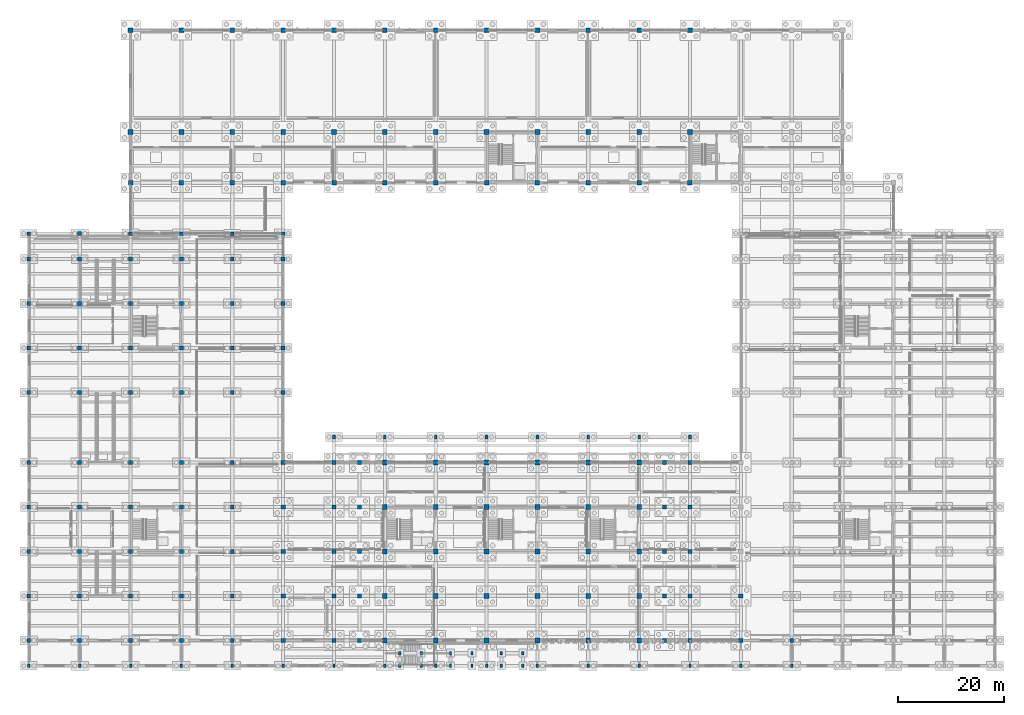
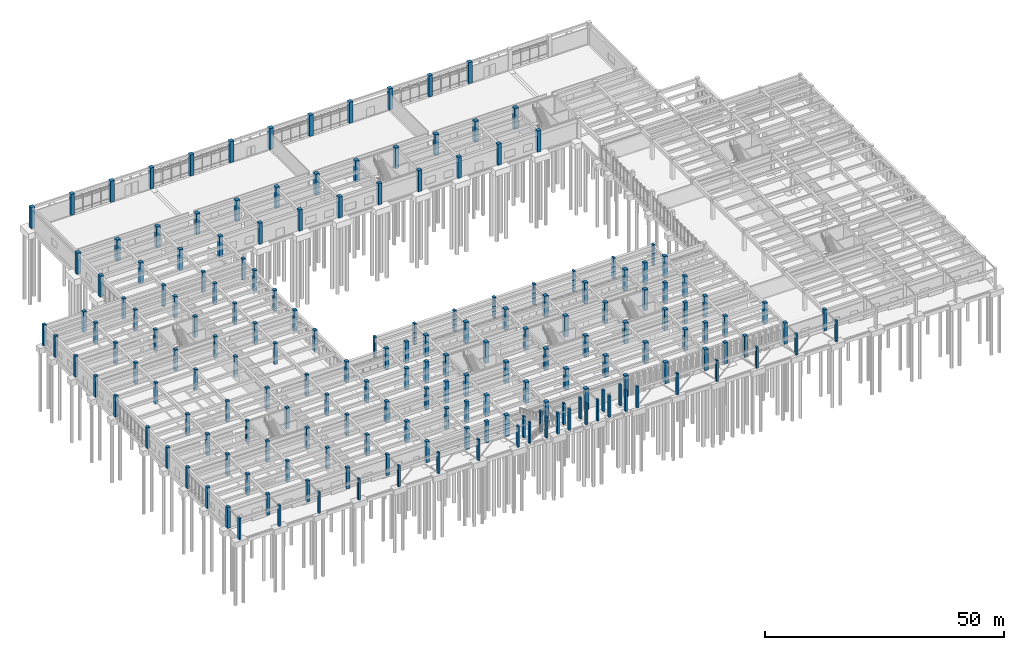
# One storey, part 9 of 102: 185 columns.
"""IFC4 building model written with IfcOpenShell, lengths in metres."""

from ifc_helpers import new_model, si_unit, direction, frame, origin, origin_2d, place, context, subcontext, project, spatial, rectangle, extrude, material, material_profile, profile_set, type_object, element, save


model = new_model("IFC4")

# Units and contexts
model_context = context("Model", 3, precision=1e-05, world=origin(), true_north=direction((0.0, 1.0)))
body_context = subcontext(model_context, "Body", "Model", "MODEL_VIEW")
ifc_project = project(units=[si_unit("LENGTHUNIT", "METRE"), si_unit("AREAUNIT", "SQUARE_METRE"), si_unit("VOLUMEUNIT", "CUBIC_METRE"), si_unit("PLANEANGLEUNIT", "RADIAN"), si_unit("MASSUNIT", "GRAM", prefix="KILO")], contexts=[model_context])

# Site, building, storey
site_placement = place(None, origin())
site = spatial("IfcSite", under=ifc_project, at=site_placement, CompositionType="ELEMENT")
building_placement = place(site_placement, origin())
building = spatial("IfcBuilding", under=site, at=building_placement, Name="Kolvemor Railside Polytechnic", CompositionType="ELEMENT")
storey_placement = place(building_placement, origin())
storey = spatial("IfcBuildingStorey", under=building, at=storey_placement, Name="L00", CompositionType="ELEMENT", Elevation=0.0)

# Columns
ifc_material_1 = material(Name="Concrete C40/50", Category="concrete")
ifc_material_profile_1 = material_profile(ifc_material_1, rectangle(XDim=0.449951171875, YDim=0.64990234375, at=origin_2d()), Name="RC450x650")
ifc_profile_set_1 = profile_set([ifc_material_profile_1], Name="Concrete C40/50")
column_type_1 = type_object("IfcColumnType", Name="COL-RC450x650", PredefinedType="PILASTER", material=ifc_profile_set_1)
for number, where, z_axis, x_axis, name in (
    (1, (0.0, 0.0, 0.0), (0.0, 0.0, 1.0), (1.0, 0.0, 0.0), "Column L00-C001"),
    (2, (9.60009765625, 0.0, 0.0), (0.0, 0.0, 1.0), (1.0, 0.0, 0.0), "Column L00-C012"),
    (3, (19.199951171875, 0.0, 0.0), (0.0, 0.0, 1.0), (1.0, 0.0, 0.0), "Column L00-C023"),
    (4, (28.800048828125, 0.0, 0.0), (0.0, 0.0, 1.0), (1.0, 0.0, 0.0), "Column L00-C037"),
    (5, (38.39990234375, 0.0, 0.0), (0.0, 0.0, 1.0), (1.0, 0.0, 0.0), "Column L00-C051"),
    (6, (48.0, 0.0, 0.0), (0.0, 0.0, 1.0), (1.0, 0.0, 0.0), "Column L00-C065"),
    (7, (57.60009765625, 0.0, 0.0), (0.0, 0.0, 1.0), (1.0, 0.0, 0.0), "Column L00-C079"),
    (8, (67.199951171875, 0.0, 0.0), (0.0, 0.0, 1.0), (1.0, 0.0, 0.0), "Column L00-C094"),
    (9, (70.0, 0.0, 0.0), (0.0, 0.0, 1.0), (1.0, 0.0, 0.0), "Column L00-C104"),
    (10, (70.0, 2.39990234375, 0.0), (0.0, 0.0, 1.0), (1.0, 0.0, 0.0), "Column L00-C105"),
    (11, (74.050048828125, 0.0, 0.0), (0.0, 0.0, 1.0), (1.0, 0.0, 0.0), "Column L00-C106"),
    (12, (74.050048828125, 2.39990234375, 0.0), (0.0, 0.0, 1.0), (1.0, 0.0, 0.0), "Column L00-C107"),
    (13, (76.800048828125, 0.0, 0.0), (0.0, 0.0, 1.0), (1.0, 0.0, 0.0), "Column L00-C108"),
    (14, (79.60009765625, 0.0, 0.0), (0.0, 0.0, 1.0), (1.0, 0.0, 0.0), "Column L00-C118"),
    (15, (79.60009765625, 2.39990234375, 0.0), (0.0, 0.0, 1.0), (1.0, 0.0, 0.0), "Column L00-C119"),
    (16, (83.64990234375, 0.0, 0.0), (0.0, 0.0, 1.0), (1.0, 0.0, 0.0), "Column L00-C120"),
    (17, (83.64990234375, 2.39990234375, 0.0), (0.0, 0.0, 1.0), (1.0, 0.0, 0.0), "Column L00-C121"),
    (18, (86.39990234375, 0.0, 0.0), (0.0, 0.0, 1.0), (1.0, 0.0, 0.0), "Column L00-C122"),
    (19, (89.199951171875, 0.0, 0.0), (0.0, 0.0, 1.0), (1.0, 0.0, 0.0), "Column L00-C132"),
    (20, (89.199951171875, 2.39990234375, 0.0), (0.0, 0.0, 1.0), (1.0, 0.0, 0.0), "Column L00-C133"),
    (21, (93.25, 0.0, 0.0), (0.0, 0.0, 1.0), (1.0, 0.0, 0.0), "Column L00-C134"),
    (22, (93.25, 2.39990234375, 0.0), (0.0, 0.0, 1.0), (1.0, 0.0, 0.0), "Column L00-C135"),
    (23, (96.0, 0.0, 0.0), (0.0, 0.0, 1.0), (1.0, 0.0, 0.0), "Column L00-C136"),
    (24, (105.60009765625, 0.0, 0.0), (0.0, 0.0, 1.0), (1.0, 0.0, 0.0), "Column L00-C146"),
    (25, (115.199951171875, 0.0, 0.0), (0.0, 0.0, 1.0), (1.0, 0.0, 0.0), "Column L00-C156"),
    (26, (124.800048828125, 0.0, 0.0), (0.0, 0.0, 1.0), (1.0, 0.0, 0.0), "Column L00-C171"),
    (27, (134.39990234375, 0.0, 0.0), (0.0, 0.0, 1.0), (1.0, 0.0, 0.0), "Column L00-C181"),
    (28, (144.0, 0.0, 0.0), (0.0, 0.0, 1.0), (1.0, 0.0, 0.0), "Column L00-C195"),
):
    element("IfcColumn", number, at=place(storey_placement, frame(where, z_axis=z_axis, x_axis=x_axis)), inside=storey, type_object=column_type_1, Name=name, PredefinedType="PILASTER", context=body_context, shape_type="SweptSolid", body=[
        extrude(rectangle(XDim=0.449951171875, YDim=0.64990234375, at=origin_2d()), origin(), (0.0, 0.0, 1.0), 5.39990234375),
    ])
ifc_material_2 = material(Name="Concrete C40/50", Category="concrete")
ifc_material_profile_2 = material_profile(ifc_material_2, rectangle(XDim=0.5, YDim=0.75, at=origin_2d()), Name="RC500x750")
ifc_profile_set_2 = profile_set([ifc_material_profile_2], Name="Concrete C40/50")
column_type_2 = type_object("IfcColumnType", Name="COL-RC500x750", PredefinedType="COLUMN", material=ifc_profile_set_2)
for number, where, z_axis, x_axis, name in (
    (29, (57.60009765625, 43.199951171875, 0.0), (0.0, 0.0, 1.0), (1.0, 0.0, 0.0), "Column L00-C085"),
    (30, (67.199951171875, 43.199951171875, 0.0), (0.0, 0.0, 1.0), (1.0, 0.0, 0.0), "Column L00-C100"),
    (31, (76.800048828125, 43.199951171875, 0.0), (0.0, 0.0, 1.0), (1.0, 0.0, 0.0), "Column L00-C114"),
    (32, (86.39990234375, 43.199951171875, 0.0), (0.0, 0.0, 1.0), (1.0, 0.0, 0.0), "Column L00-C128"),
    (33, (96.0, 43.199951171875, 0.0), (0.0, 0.0, 1.0), (1.0, 0.0, 0.0), "Column L00-C142"),
    (34, (105.60009765625, 43.199951171875, 0.0), (0.0, 0.0, 1.0), (1.0, 0.0, 0.0), "Column L00-C152"),
    (35, (115.199951171875, 43.199951171875, 0.0), (0.0, 0.0, 1.0), (1.0, 0.0, 0.0), "Column L00-C162"),
    (36, (124.800048828125, 43.199951171875, 0.0), (0.0, 0.0, 1.0), (1.0, 0.0, 0.0), "Column L00-C177"),
):
    element("IfcColumn", number, at=place(storey_placement, frame(where, z_axis=z_axis, x_axis=x_axis)), inside=storey, type_object=column_type_2, Name=name, PredefinedType="COLUMN", context=body_context, shape_type="SweptSolid", body=[
        extrude(rectangle(XDim=0.5, YDim=0.75, at=origin_2d()), origin(), (0.0, 0.0, 1.0), 5.39990234375),
    ])
ifc_material_3 = material(Name="Concrete C40/50", Category="concrete")
ifc_material_profile_3 = material_profile(ifc_material_3, rectangle(XDim=0.699951171875, YDim=0.699951171875, at=origin_2d()), Name="RC700x700")
ifc_profile_set_3 = profile_set([ifc_material_profile_3], Name="Concrete C40/50")
column_type_3 = type_object("IfcColumnType", Name="COL-RC700", PredefinedType="COLUMN", material=ifc_profile_set_3)
for number, where, z_axis, x_axis, name in (
    (37, (0.0, 4.800048828125, 0.0), (0.0, 0.0, 1.0), (1.0, 0.0, 0.0), "Column L00-C002"),
    (38, (0.0, 13.199951171875, 0.0), (0.0, 0.0, 1.0), (1.0, 0.0, 0.0), "Column L00-C003"),
    (39, (0.0, 21.60009765625, 0.0), (0.0, 0.0, 1.0), (1.0, 0.0, 0.0), "Column L00-C004"),
    (40, (0.0, 30.0, 0.0), (0.0, 0.0, 1.0), (1.0, 0.0, 0.0), "Column L00-C005"),
    (41, (0.0, 38.39990234375, 0.0), (0.0, 0.0, 1.0), (1.0, 0.0, 0.0), "Column L00-C006"),
    (42, (0.0, 51.60009765625, 0.0), (0.0, 0.0, 1.0), (1.0, 0.0, 0.0), "Column L00-C007"),
    (43, (0.0, 60.0, 0.0), (0.0, 0.0, 1.0), (1.0, 0.0, 0.0), "Column L00-C008"),
    (44, (0.0, 68.39990234375, 0.0), (0.0, 0.0, 1.0), (1.0, 0.0, 0.0), "Column L00-C009"),
    (45, (0.0, 76.800048828125, 0.0), (0.0, 0.0, 1.0), (1.0, 0.0, 0.0), "Column L00-C010"),
    (46, (0.0, 81.60009765625, 0.0), (0.0, 0.0, 1.0), (1.0, 0.0, 0.0), "Column L00-C011"),
    (47, (19.199951171875, 4.800048828125, 0.0), (0.0, 0.0, 1.0), (1.0, 0.0, 0.0), "Column L00-C024"),
    (48, (19.199951171875, 13.199951171875, 0.0), (0.0, 0.0, 1.0), (1.0, 0.0, 0.0), "Column L00-C025"),
    (49, (19.199951171875, 21.60009765625, 0.0), (0.0, 0.0, 1.0), (1.0, 0.0, 0.0), "Column L00-C026"),
    (50, (19.199951171875, 30.0, 0.0), (0.0, 0.0, 1.0), (1.0, 0.0, 0.0), "Column L00-C027"),
    (51, (19.199951171875, 38.39990234375, 0.0), (0.0, 0.0, 1.0), (1.0, 0.0, 0.0), "Column L00-C028"),
    (52, (19.199951171875, 51.60009765625, 0.0), (0.0, 0.0, 1.0), (1.0, 0.0, 0.0), "Column L00-C029"),
    (53, (19.199951171875, 60.0, 0.0), (0.0, 0.0, 1.0), (1.0, 0.0, 0.0), "Column L00-C030"),
    (54, (19.199951171875, 68.39990234375, 0.0), (0.0, 0.0, 1.0), (1.0, 0.0, 0.0), "Column L00-C031"),
    (55, (19.199951171875, 76.800048828125, 0.0), (0.0, 0.0, 1.0), (1.0, 0.0, 0.0), "Column L00-C032"),
    (56, (19.199951171875, 81.60009765625, 0.0), (0.0, 0.0, 1.0), (1.0, 0.0, 0.0), "Column L00-C033"),
    (57, (28.800048828125, 81.60009765625, 0.0), (0.0, 0.0, 1.0), (1.0, 0.0, 0.0), "Column L00-C047"),
    (58, (38.39990234375, 4.800048828125, 0.0), (0.0, 0.0, 1.0), (1.0, 0.0, 0.0), "Column L00-C052"),
    (59, (38.39990234375, 13.199951171875, 0.0), (0.0, 0.0, 1.0), (1.0, 0.0, 0.0), "Column L00-C053"),
    (60, (38.39990234375, 21.60009765625, 0.0), (0.0, 0.0, 1.0), (1.0, 0.0, 0.0), "Column L00-C054"),
    (61, (38.39990234375, 30.0, 0.0), (0.0, 0.0, 1.0), (1.0, 0.0, 0.0), "Column L00-C055"),
    (62, (38.39990234375, 38.39990234375, 0.0), (0.0, 0.0, 1.0), (1.0, 0.0, 0.0), "Column L00-C056"),
    (63, (38.39990234375, 51.60009765625, 0.0), (0.0, 0.0, 1.0), (1.0, 0.0, 0.0), "Column L00-C057"),
    (64, (38.39990234375, 60.0, 0.0), (0.0, 0.0, 1.0), (1.0, 0.0, 0.0), "Column L00-C058"),
    (65, (38.39990234375, 68.39990234375, 0.0), (0.0, 0.0, 1.0), (1.0, 0.0, 0.0), "Column L00-C059"),
    (66, (38.39990234375, 76.800048828125, 0.0), (0.0, 0.0, 1.0), (1.0, 0.0, 0.0), "Column L00-C060"),
    (67, (38.39990234375, 81.60009765625, 0.0), (0.0, 0.0, 1.0), (1.0, 0.0, 0.0), "Column L00-C061"),
    (68, (48.0, 81.60009765625, 0.0), (0.0, 0.0, 1.0), (1.0, 0.0, 0.0), "Column L00-C075"),
    (69, (144.0, 4.800048828125, 0.0), (0.0, 0.0, 1.0), (1.0, 0.0, 0.0), "Column L00-C196"),
):
    element("IfcColumn", number, at=place(storey_placement, frame(where, z_axis=z_axis, x_axis=x_axis)), inside=storey, type_object=column_type_3, Name=name, PredefinedType="COLUMN", context=body_context, shape_type="SweptSolid", body=[
        extrude(rectangle(XDim=0.699951171875, YDim=0.699951171875, at=origin_2d()), origin(), (0.0, 0.0, 1.0), 5.39990234375),
    ])
ifc_material_4 = material(Name="Concrete C40/50", Category="concrete")
ifc_material_profile_4 = material_profile(ifc_material_4, rectangle(XDim=0.75, YDim=0.75, at=origin_2d()), Name="RC750x750")
ifc_profile_set_4 = profile_set([ifc_material_profile_4], Name="Concrete C40/50")
column_type_4 = type_object("IfcColumnType", Name="COL-RC750", PredefinedType="COLUMN", material=ifc_profile_set_4)
for number, where, z_axis, x_axis, name in (
    (70, (9.60009765625, 4.800048828125, 0.0), (0.0, 0.0, 1.0), (1.0, 0.0, 0.0), "Column L00-C013"),
    (71, (9.60009765625, 13.199951171875, 0.0), (0.0, 0.0, 1.0), (1.0, 0.0, 0.0), "Column L00-C014"),
    (72, (9.60009765625, 21.60009765625, 0.0), (0.0, 0.0, 1.0), (1.0, 0.0, 0.0), "Column L00-C015"),
    (73, (9.60009765625, 30.0, 0.0), (0.0, 0.0, 1.0), (1.0, 0.0, 0.0), "Column L00-C016"),
    (74, (9.60009765625, 38.39990234375, 0.0), (0.0, 0.0, 1.0), (1.0, 0.0, 0.0), "Column L00-C017"),
    (75, (9.60009765625, 51.60009765625, 0.0), (0.0, 0.0, 1.0), (1.0, 0.0, 0.0), "Column L00-C018"),
    (76, (9.60009765625, 60.0, 0.0), (0.0, 0.0, 1.0), (1.0, 0.0, 0.0), "Column L00-C019"),
    (77, (9.60009765625, 68.39990234375, 0.0), (0.0, 0.0, 1.0), (1.0, 0.0, 0.0), "Column L00-C020"),
    (78, (9.60009765625, 76.800048828125, 0.0), (0.0, 0.0, 1.0), (1.0, 0.0, 0.0), "Column L00-C021"),
    (79, (9.60009765625, 81.60009765625, 0.0), (0.0, 0.0, 1.0), (1.0, 0.0, 0.0), "Column L00-C022"),
    (80, (28.800048828125, 4.800048828125, 0.0), (0.0, 0.0, 1.0), (1.0, 0.0, 0.0), "Column L00-C038"),
    (81, (28.800048828125, 13.199951171875, 0.0), (0.0, 0.0, 1.0), (1.0, 0.0, 0.0), "Column L00-C039"),
    (82, (28.800048828125, 21.60009765625, 0.0), (0.0, 0.0, 1.0), (1.0, 0.0, 0.0), "Column L00-C040"),
    (83, (28.800048828125, 30.0, 0.0), (0.0, 0.0, 1.0), (1.0, 0.0, 0.0), "Column L00-C041"),
    (84, (28.800048828125, 38.39990234375, 0.0), (0.0, 0.0, 1.0), (1.0, 0.0, 0.0), "Column L00-C042"),
    (85, (28.800048828125, 51.60009765625, 0.0), (0.0, 0.0, 1.0), (1.0, 0.0, 0.0), "Column L00-C043"),
    (86, (28.800048828125, 60.0, 0.0), (0.0, 0.0, 1.0), (1.0, 0.0, 0.0), "Column L00-C044"),
    (87, (28.800048828125, 68.39990234375, 0.0), (0.0, 0.0, 1.0), (1.0, 0.0, 0.0), "Column L00-C045"),
    (88, (28.800048828125, 76.800048828125, 0.0), (0.0, 0.0, 1.0), (1.0, 0.0, 0.0), "Column L00-C046"),
    (89, (48.0, 51.60009765625, 0.0), (0.0, 0.0, 1.0), (1.0, 0.0, 0.0), "Column L00-C071"),
    (90, (48.0, 60.0, 0.0), (0.0, 0.0, 1.0), (1.0, 0.0, 0.0), "Column L00-C072"),
    (91, (48.0, 68.39990234375, 0.0), (0.0, 0.0, 1.0), (1.0, 0.0, 0.0), "Column L00-C073"),
    (92, (48.0, 76.800048828125, 0.0), (0.0, 0.0, 1.0), (1.0, 0.0, 0.0), "Column L00-C074"),
):
    element("IfcColumn", number, at=place(storey_placement, frame(where, z_axis=z_axis, x_axis=x_axis)), inside=storey, type_object=column_type_4, Name=name, PredefinedType="COLUMN", context=body_context, shape_type="SweptSolid", body=[
        extrude(rectangle(XDim=0.75, YDim=0.75, at=origin_2d()), origin(), (0.0, 0.0, 1.0), 5.39990234375),
    ])
ifc_material_5 = material(Name="Concrete C40/50", Category="concrete")
ifc_material_profile_5 = material_profile(ifc_material_5, rectangle(XDim=0.800048828125, YDim=0.800048828125, at=origin_2d()), Name="RC800x800")
ifc_profile_set_5 = profile_set([ifc_material_profile_5], Name="Concrete C40/50")
column_type_5 = type_object("IfcColumnType", Name="COL-RC800", PredefinedType="COLUMN", material=ifc_profile_set_5)
for number, where, z_axis, x_axis, name in (
    (93, (48.0, 4.800048828125, 0.0), (0.0, 0.0, 1.0), (1.0, 0.0, 0.0), "Column L00-C066"),
    (94, (48.0, 13.199951171875, 0.0), (0.0, 0.0, 1.0), (1.0, 0.0, 0.0), "Column L00-C067"),
    (95, (48.0, 21.60009765625, 0.0), (0.0, 0.0, 1.0), (1.0, 0.0, 0.0), "Column L00-C068"),
    (96, (48.0, 30.0, 0.0), (0.0, 0.0, 1.0), (1.0, 0.0, 0.0), "Column L00-C069"),
    (97, (48.0, 38.39990234375, 0.0), (0.0, 0.0, 1.0), (1.0, 0.0, 0.0), "Column L00-C070"),
    (98, (57.60009765625, 4.800048828125, 0.0), (0.0, 0.0, 1.0), (1.0, 0.0, 0.0), "Column L00-C080"),
    (99, (57.60009765625, 13.199951171875, 0.0), (0.0, 0.0, 1.0), (1.0, 0.0, 0.0), "Column L00-C081"),
    (100, (57.60009765625, 21.60009765625, 0.0), (0.0, 0.0, 1.0), (1.0, 0.0, 0.0), "Column L00-C082"),
    (101, (57.60009765625, 30.0, 0.0), (0.0, 0.0, 1.0), (1.0, 0.0, 0.0), "Column L00-C083"),
    (102, (57.60009765625, 38.39990234375, 0.0), (0.0, 0.0, 1.0), (1.0, 0.0, 0.0), "Column L00-C084"),
    (103, (62.39990234375, 4.800048828125, 0.0), (0.0, 0.0, 1.0), (1.0, 0.0, 0.0), "Column L00-C089"),
    (104, (62.39990234375, 13.199951171875, 0.0), (0.0, 0.0, 1.0), (1.0, 0.0, 0.0), "Column L00-C090"),
    (105, (62.39990234375, 21.60009765625, 0.0), (0.0, 0.0, 1.0), (1.0, 0.0, 0.0), "Column L00-C091"),
    (106, (62.39990234375, 30.0, 0.0), (0.0, 0.0, 1.0), (1.0, 0.0, 0.0), "Column L00-C092"),
    (107, (62.39990234375, 38.39990234375, 0.0), (0.0, 0.0, 1.0), (1.0, 0.0, 0.0), "Column L00-C093"),
    (108, (120.0, 4.800048828125, 0.0), (0.0, 0.0, 1.0), (1.0, 0.0, 0.0), "Column L00-C166"),
    (109, (120.0, 13.199951171875, 0.0), (0.0, 0.0, 1.0), (1.0, 0.0, 0.0), "Column L00-C167"),
    (110, (120.0, 21.60009765625, 0.0), (0.0, 0.0, 1.0), (1.0, 0.0, 0.0), "Column L00-C168"),
    (111, (120.0, 30.0, 0.0), (0.0, 0.0, 1.0), (1.0, 0.0, 0.0), "Column L00-C169"),
    (112, (120.0, 38.39990234375, 0.0), (0.0, 0.0, 1.0), (1.0, 0.0, 0.0), "Column L00-C170"),
    (113, (124.800048828125, 4.800048828125, 0.0), (0.0, 0.0, 1.0), (1.0, 0.0, 0.0), "Column L00-C172"),
    (114, (124.800048828125, 13.199951171875, 0.0), (0.0, 0.0, 1.0), (1.0, 0.0, 0.0), "Column L00-C173"),
    (115, (124.800048828125, 21.60009765625, 0.0), (0.0, 0.0, 1.0), (1.0, 0.0, 0.0), "Column L00-C174"),
    (116, (124.800048828125, 30.0, 0.0), (0.0, 0.0, 1.0), (1.0, 0.0, 0.0), "Column L00-C175"),
    (117, (124.800048828125, 38.39990234375, 0.0), (0.0, 0.0, 1.0), (1.0, 0.0, 0.0), "Column L00-C176"),
    (118, (134.39990234375, 4.800048828125, 0.0), (0.0, 0.0, 1.0), (1.0, 0.0, 0.0), "Column L00-C182"),
    (119, (134.39990234375, 13.199951171875, 0.0), (0.0, 0.0, 1.0), (1.0, 0.0, 0.0), "Column L00-C183"),
):
    element("IfcColumn", number, at=place(storey_placement, frame(where, z_axis=z_axis, x_axis=x_axis)), inside=storey, type_object=column_type_5, Name=name, PredefinedType="COLUMN", context=body_context, shape_type="SweptSolid", body=[
        extrude(rectangle(XDim=0.800048828125, YDim=0.800048828125, at=origin_2d()), origin(), (0.0, 0.0, 1.0), 5.39990234375),
    ])
ifc_material_6 = material(Name="Concrete C40/50", Category="concrete")
ifc_material_profile_6 = material_profile(ifc_material_6, rectangle(XDim=0.85009765625, YDim=0.85009765625, at=origin_2d()), Name="RC850x850")
ifc_profile_set_6 = profile_set([ifc_material_profile_6], Name="Concrete C40/50")
column_type_6 = type_object("IfcColumnType", Name="COL-RC850", PredefinedType="COLUMN", material=ifc_profile_set_6)
for number, where, z_axis, x_axis, name in (
    (120, (19.199951171875, 91.199951171875, 0.0), (0.0, 0.0, 1.0), (1.0, 0.0, 0.0), "Column L00-C034"),
    (121, (28.800048828125, 91.199951171875, 0.0), (0.0, 0.0, 1.0), (1.0, 0.0, 0.0), "Column L00-C048"),
    (122, (38.39990234375, 91.199951171875, 0.0), (0.0, 0.0, 1.0), (1.0, 0.0, 0.0), "Column L00-C062"),
    (123, (48.0, 91.199951171875, 0.0), (0.0, 0.0, 1.0), (1.0, 0.0, 0.0), "Column L00-C076"),
    (124, (57.60009765625, 91.199951171875, 0.0), (0.0, 0.0, 1.0), (1.0, 0.0, 0.0), "Column L00-C086"),
    (125, (67.199951171875, 91.199951171875, 0.0), (0.0, 0.0, 1.0), (1.0, 0.0, 0.0), "Column L00-C101"),
    (126, (76.800048828125, 91.199951171875, 0.0), (0.0, 0.0, 1.0), (1.0, 0.0, 0.0), "Column L00-C115"),
    (127, (86.39990234375, 91.199951171875, 0.0), (0.0, 0.0, 1.0), (1.0, 0.0, 0.0), "Column L00-C129"),
    (128, (96.0, 91.199951171875, 0.0), (0.0, 0.0, 1.0), (1.0, 0.0, 0.0), "Column L00-C143"),
    (129, (105.60009765625, 91.199951171875, 0.0), (0.0, 0.0, 1.0), (1.0, 0.0, 0.0), "Column L00-C153"),
    (130, (115.199951171875, 91.199951171875, 0.0), (0.0, 0.0, 1.0), (1.0, 0.0, 0.0), "Column L00-C163"),
    (131, (124.800048828125, 91.199951171875, 0.0), (0.0, 0.0, 1.0), (1.0, 0.0, 0.0), "Column L00-C178"),
):
    element("IfcColumn", number, at=place(storey_placement, frame(where, z_axis=z_axis, x_axis=x_axis)), inside=storey, type_object=column_type_6, Name=name, PredefinedType="COLUMN", context=body_context, shape_type="SweptSolid", body=[
        extrude(rectangle(XDim=0.85009765625, YDim=0.85009765625, at=origin_2d()), origin(), (0.0, 0.0, 1.0), 5.39990234375),
    ])
ifc_material_7 = material(Name="Concrete C40/50", Category="concrete")
ifc_material_profile_7 = material_profile(ifc_material_7, rectangle(XDim=0.89990234375, YDim=0.89990234375, at=origin_2d()), Name="RC900x900")
ifc_profile_set_7 = profile_set([ifc_material_profile_7], Name="Concrete C40/50")
column_type_7 = type_object("IfcColumnType", Name="COL-RC900", PredefinedType="COLUMN", material=ifc_profile_set_7)
for number, where, z_axis, x_axis, name in (
    (132, (19.199951171875, 100.800048828125, 0.0), (0.0, 0.0, 1.0), (1.0, 0.0, 0.0), "Column L00-C035"),
    (133, (19.199951171875, 120.0, 0.0), (0.0, 0.0, 1.0), (1.0, 0.0, 0.0), "Column L00-C036"),
    (134, (28.800048828125, 100.800048828125, 0.0), (0.0, 0.0, 1.0), (1.0, 0.0, 0.0), "Column L00-C049"),
    (135, (28.800048828125, 120.0, 0.0), (0.0, 0.0, 1.0), (1.0, 0.0, 0.0), "Column L00-C050"),
    (136, (38.39990234375, 100.800048828125, 0.0), (0.0, 0.0, 1.0), (1.0, 0.0, 0.0), "Column L00-C063"),
    (137, (38.39990234375, 120.0, 0.0), (0.0, 0.0, 1.0), (1.0, 0.0, 0.0), "Column L00-C064"),
    (138, (48.0, 100.800048828125, 0.0), (0.0, 0.0, 1.0), (1.0, 0.0, 0.0), "Column L00-C077"),
    (139, (48.0, 120.0, 0.0), (0.0, 0.0, 1.0), (1.0, 0.0, 0.0), "Column L00-C078"),
    (140, (57.60009765625, 100.800048828125, 0.0), (0.0, 0.0, 1.0), (1.0, 0.0, 0.0), "Column L00-C087"),
    (141, (57.60009765625, 120.0, 0.0), (0.0, 0.0, 1.0), (1.0, 0.0, 0.0), "Column L00-C088"),
    (142, (67.199951171875, 4.800048828125, 0.0), (0.0, 0.0, 1.0), (1.0, 0.0, 0.0), "Column L00-C095"),
    (143, (67.199951171875, 13.199951171875, 0.0), (0.0, 0.0, 1.0), (1.0, 0.0, 0.0), "Column L00-C096"),
    (144, (67.199951171875, 21.60009765625, 0.0), (0.0, 0.0, 1.0), (1.0, 0.0, 0.0), "Column L00-C097"),
    (145, (67.199951171875, 30.0, 0.0), (0.0, 0.0, 1.0), (1.0, 0.0, 0.0), "Column L00-C098"),
    (146, (67.199951171875, 38.39990234375, 0.0), (0.0, 0.0, 1.0), (1.0, 0.0, 0.0), "Column L00-C099"),
    (147, (67.199951171875, 100.800048828125, 0.0), (0.0, 0.0, 1.0), (1.0, 0.0, 0.0), "Column L00-C102"),
    (148, (67.199951171875, 120.0, 0.0), (0.0, 0.0, 1.0), (1.0, 0.0, 0.0), "Column L00-C103"),
    (149, (76.800048828125, 4.800048828125, 0.0), (0.0, 0.0, 1.0), (1.0, 0.0, 0.0), "Column L00-C109"),
    (150, (76.800048828125, 13.199951171875, 0.0), (0.0, 0.0, 1.0), (1.0, 0.0, 0.0), "Column L00-C110"),
    (151, (76.800048828125, 21.60009765625, 0.0), (0.0, 0.0, 1.0), (1.0, 0.0, 0.0), "Column L00-C111"),
    (152, (76.800048828125, 30.0, 0.0), (0.0, 0.0, 1.0), (1.0, 0.0, 0.0), "Column L00-C112"),
    (153, (76.800048828125, 38.39990234375, 0.0), (0.0, 0.0, 1.0), (1.0, 0.0, 0.0), "Column L00-C113"),
    (154, (76.800048828125, 100.800048828125, 0.0), (0.0, 0.0, 1.0), (1.0, 0.0, 0.0), "Column L00-C116"),
    (155, (76.800048828125, 120.0, 0.0), (0.0, 0.0, 1.0), (1.0, 0.0, 0.0), "Column L00-C117"),
    (156, (86.39990234375, 4.800048828125, 0.0), (0.0, 0.0, 1.0), (1.0, 0.0, 0.0), "Column L00-C123"),
    (157, (86.39990234375, 13.199951171875, 0.0), (0.0, 0.0, 1.0), (1.0, 0.0, 0.0), "Column L00-C124"),
    (158, (86.39990234375, 21.60009765625, 0.0), (0.0, 0.0, 1.0), (1.0, 0.0, 0.0), "Column L00-C125"),
    (159, (86.39990234375, 30.0, 0.0), (0.0, 0.0, 1.0), (1.0, 0.0, 0.0), "Column L00-C126"),
    (160, (86.39990234375, 38.39990234375, 0.0), (0.0, 0.0, 1.0), (1.0, 0.0, 0.0), "Column L00-C127"),
    (161, (86.39990234375, 100.800048828125, 0.0), (0.0, 0.0, 1.0), (1.0, 0.0, 0.0), "Column L00-C130"),
    (162, (86.39990234375, 120.0, 0.0), (0.0, 0.0, 1.0), (1.0, 0.0, 0.0), "Column L00-C131"),
    (163, (96.0, 4.800048828125, 0.0), (0.0, 0.0, 1.0), (1.0, 0.0, 0.0), "Column L00-C137"),
    (164, (96.0, 13.199951171875, 0.0), (0.0, 0.0, 1.0), (1.0, 0.0, 0.0), "Column L00-C138"),
    (165, (96.0, 21.60009765625, 0.0), (0.0, 0.0, 1.0), (1.0, 0.0, 0.0), "Column L00-C139"),
    (166, (96.0, 30.0, 0.0), (0.0, 0.0, 1.0), (1.0, 0.0, 0.0), "Column L00-C140"),
    (167, (96.0, 38.39990234375, 0.0), (0.0, 0.0, 1.0), (1.0, 0.0, 0.0), "Column L00-C141"),
    (168, (96.0, 100.800048828125, 0.0), (0.0, 0.0, 1.0), (1.0, 0.0, 0.0), "Column L00-C144"),
    (169, (96.0, 120.0, 0.0), (0.0, 0.0, 1.0), (1.0, 0.0, 0.0), "Column L00-C145"),
    (170, (105.60009765625, 4.800048828125, 0.0), (0.0, 0.0, 1.0), (1.0, 0.0, 0.0), "Column L00-C147"),
    (171, (105.60009765625, 13.199951171875, 0.0), (0.0, 0.0, 1.0), (1.0, 0.0, 0.0), "Column L00-C148"),
    (172, (105.60009765625, 21.60009765625, 0.0), (0.0, 0.0, 1.0), (1.0, 0.0, 0.0), "Column L00-C149"),
    (173, (105.60009765625, 30.0, 0.0), (0.0, 0.0, 1.0), (1.0, 0.0, 0.0), "Column L00-C150"),
    (174, (105.60009765625, 38.39990234375, 0.0), (0.0, 0.0, 1.0), (1.0, 0.0, 0.0), "Column L00-C151"),
    (175, (105.60009765625, 100.800048828125, 0.0), (0.0, 0.0, 1.0), (1.0, 0.0, 0.0), "Column L00-C154"),
    (176, (105.60009765625, 120.0, 0.0), (0.0, 0.0, 1.0), (1.0, 0.0, 0.0), "Column L00-C155"),
    (177, (115.199951171875, 4.800048828125, 0.0), (0.0, 0.0, 1.0), (1.0, 0.0, 0.0), "Column L00-C157"),
    (178, (115.199951171875, 13.199951171875, 0.0), (0.0, 0.0, 1.0), (1.0, 0.0, 0.0), "Column L00-C158"),
    (179, (115.199951171875, 21.60009765625, 0.0), (0.0, 0.0, 1.0), (1.0, 0.0, 0.0), "Column L00-C159"),
    (180, (115.199951171875, 30.0, 0.0), (0.0, 0.0, 1.0), (1.0, 0.0, 0.0), "Column L00-C160"),
    (181, (115.199951171875, 38.39990234375, 0.0), (0.0, 0.0, 1.0), (1.0, 0.0, 0.0), "Column L00-C161"),
    (182, (115.199951171875, 100.800048828125, 0.0), (0.0, 0.0, 1.0), (1.0, 0.0, 0.0), "Column L00-C164"),
    (183, (115.199951171875, 120.0, 0.0), (0.0, 0.0, 1.0), (1.0, 0.0, 0.0), "Column L00-C165"),
    (184, (124.800048828125, 100.800048828125, 0.0), (0.0, 0.0, 1.0), (1.0, 0.0, 0.0), "Column L00-C179"),
    (185, (124.800048828125, 120.0, 0.0), (0.0, 0.0, 1.0), (1.0, 0.0, 0.0), "Column L00-C180"),
):
    element("IfcColumn", number, at=place(storey_placement, frame(where, z_axis=z_axis, x_axis=x_axis)), inside=storey, type_object=column_type_7, Name=name, PredefinedType="COLUMN", context=body_context, shape_type="SweptSolid", body=[
        extrude(rectangle(XDim=0.89990234375, YDim=0.89990234375, at=origin_2d()), origin(), (0.0, 0.0, 1.0), 5.39990234375),
    ])

save(model, "model.ifc")
